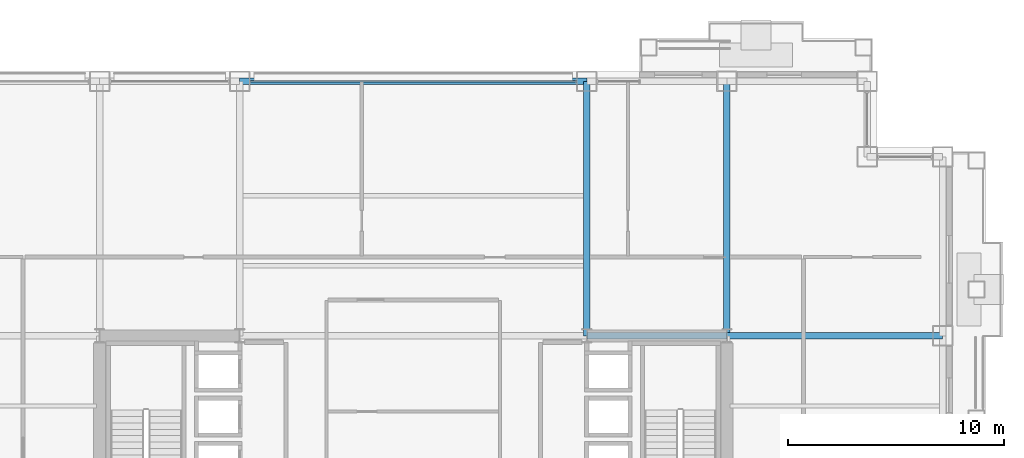
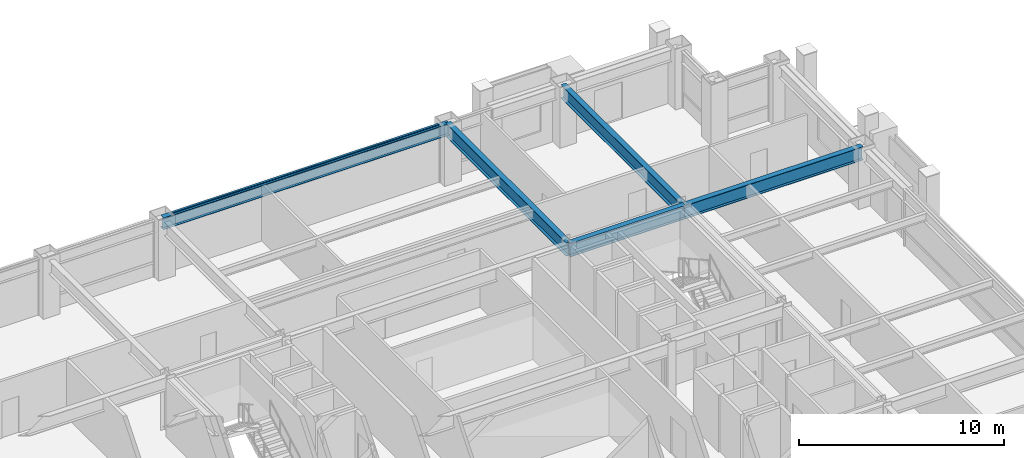
# One storey, part 19 of 31: 5 beams, 1 member, 1 element without a shape of its own.
"""IFC4 building model written with IfcOpenShell, lengths in metres."""

from ifc_helpers import new_model, si_unit, direction, frame, origin, origin_2d, place, context, subcontext, project, spatial, hollow_rectangle, i_section, extrude, material, layer, layer_set, material_profile, profile_set, type_object, element, aggregate, save


model = new_model("IFC4")

# Units and contexts
model_context = context("Model", 3, precision=1e-05, world=origin(), true_north=direction((0.0, 1.0)))
body_context = subcontext(model_context, "Body", "Model", "MODEL_VIEW")
ifc_project = project(units=[si_unit("LENGTHUNIT", "METRE"), si_unit("AREAUNIT", "SQUARE_METRE"), si_unit("VOLUMEUNIT", "CUBIC_METRE"), si_unit("PLANEANGLEUNIT", "RADIAN"), si_unit("MASSUNIT", "GRAM", prefix="KILO")], contexts=[model_context])

# Site, building, storey
site_placement = place(None, origin())
site = spatial("IfcSite", under=ifc_project, at=site_placement, CompositionType="ELEMENT")
building_placement = place(site_placement, origin())
building = spatial("IfcBuilding", under=site, at=building_placement, Name="Brelmoor Portico Tower", CompositionType="ELEMENT")
storey_placement = place(building_placement, frame((0.0, 0.0, 42.0)))
storey = spatial("IfcBuildingStorey", under=building, at=storey_placement, Name="L10", CompositionType="ELEMENT", Elevation=42.0)

# Beams
ifc_material_1 = material(Name="Steel Q355B", Category="steel")
ifc_material_profile_1 = material_profile(ifc_material_1, i_section(OverallWidth=0.300048828125, OverallDepth=0.800048828125, WebThickness=0.013916015625, FlangeThickness=0.02587890625, at=origin_2d()), Name="HN 800x300x14x26")
ifc_profile_set_1 = profile_set([ifc_material_profile_1], Name="Steel Q355B")
beam_type_1 = type_object("IfcBeamType", Name="BM-PG-800", PredefinedType="BEAM", material=ifc_profile_set_1)
for number, where, z_axis, x_axis, name in (
    (1, (8.050048828125, 9.75, 3.0), (0.0, 1.0, 0.0), (-1.0, 0.0, 0.0), "L10 Primary Floor Girder PG-10"),
    (2, (14.550048828125, 9.75, 3.0), (0.0, 1.0, 0.0), (-1.0, 0.0, 0.0), "L10 Primary Floor Girder PG-14"),
):
    element("IfcBeam", number, at=place(storey_placement, frame(where, z_axis=z_axis, x_axis=x_axis)), inside=storey, type_object=beam_type_1, Name=name, PredefinedType="BEAM", context=body_context, shape_type="SweptSolid", body=[
        extrude(i_section(OverallWidth=0.300048828125, OverallDepth=0.800048828125, WebThickness=0.013916015625, FlangeThickness=0.02587890625, at=origin_2d()), origin(), (0.0, 0.0, 1.0), 11.800048828125),
    ])
beam_1_placement = place(storey_placement, frame((8.050048828125, 9.75, 3.0), z_axis=(1.0, 0.0, 0.0), x_axis=(0.0, 1.0, 0.0)))
element("IfcBeam", 3, at=beam_1_placement, inside=storey, type_object=beam_type_1, Name="L10 Primary Floor Girder PG-30", PredefinedType="BEAM", context=body_context, shape_type="SweptSolid", body=[
    extrude(i_section(OverallWidth=0.300048828125, OverallDepth=0.800048828125, WebThickness=0.013916015625, FlangeThickness=0.02587890625, at=origin_2d()), origin(), (0.0, 0.0, 1.0), 6.5),
])
beam_2_placement = place(storey_placement, frame((14.550048828125, 9.75, 3.0), z_axis=(1.0, 0.0, 0.0), x_axis=(0.0, 1.0, 0.0)))
element("IfcBeam", 4, at=beam_2_placement, inside=storey, type_object=beam_type_1, Name="L10 Primary Floor Girder PG-31", PredefinedType="BEAM", context=body_context, shape_type="SweptSolid", body=[
    extrude(i_section(OverallWidth=0.300048828125, OverallDepth=0.800048828125, WebThickness=0.013916015625, FlangeThickness=0.02587890625, at=origin_2d()), origin(), (0.0, 0.0, 1.0), 10.0),
])
ifc_material_profile_2 = material_profile(ifc_material_1, i_section(OverallWidth=0.300048828125, OverallDepth=0.699951171875, WebThickness=0.012939453125, FlangeThickness=0.02392578125, at=origin_2d()), Name="HN 700x300x13x24")
ifc_profile_set_2 = profile_set([ifc_material_profile_2], Name="Steel Q355B")
beam_type_2 = type_object("IfcBeamType", Name="BM-SP-700", PredefinedType="SPANDREL", material=ifc_profile_set_2)
beam_3_placement = place(storey_placement, frame((-8.050048828125, 21.550048828125, 3.050048828125), z_axis=(1.0, 0.0, 0.0), x_axis=(0.0, 1.0, 0.0)))
element("IfcBeam", 5, at=beam_3_placement, inside=storey, type_object=beam_type_2, Name="L10 Perimeter Spandrel Beam SP-12", PredefinedType="SPANDREL", context=body_context, shape_type="SweptSolid", body=[
    extrude(i_section(OverallWidth=0.300048828125, OverallDepth=0.699951171875, WebThickness=0.012939453125, FlangeThickness=0.02392578125, at=origin_2d()), origin(), (0.0, 0.0, 1.0), 16.10009765625),
])

# Curtain wall, member
ifc_material_2 = material(Name="Anodised Aluminium Alloy 6063-T6", Category="aluminium")
ifc_layer = layer(ifc_material_2, 0.179931640625)
ifc_layer_set = layer_set([ifc_layer], Name="Anodised Aluminium Alloy 6063-T6")
curtain_wall_type = type_object("IfcCurtainWallType", Name="CW-TOWER-Z1-XB", PredefinedType="NOTDEFINED", material=ifc_layer_set)
curtain_wall_placement = place(storey_placement, origin())
curtain_wall = element("IfcCurtainWall", 6, at=curtain_wall_placement, inside=storey, type_object=curtain_wall_type, Name="L10 Curtain Wall CW-L10-2L-3", PredefinedType="NOTDEFINED")
ifc_material_profile_3 = material_profile(ifc_material_2, hollow_rectangle(XDim=0.06494140625, YDim=0.139892578125, WallThickness=0.00390625, at=origin_2d()), Name="ALU TRANSOM 65x140")
ifc_profile_set_3 = profile_set([ifc_material_profile_3], Name="Anodised Aluminium Alloy 6063-T6")
member_type = type_object("IfcMemberType", Name="MB-CW-TRAN-140", PredefinedType="USERDEFINED", material=ifc_profile_set_3)
member_placement = place(storey_placement, frame((-7.56494140625, 21.550048828125, 3.330078125), z_axis=(1.0, 0.0, 0.0), x_axis=(0.0, 1.0, 0.0)))
member = element("IfcMember", 7, at=member_placement, type_object=member_type, Name="CW-L10-2L-3 Transom 1-00", ObjectType="TRANSOM", PredefinedType="USERDEFINED", context=body_context, shape_type="SweptSolid", body=[
    extrude(hollow_rectangle(XDim=0.06494140625, YDim=0.139892578125, WallThickness=0.00390625, at=origin_2d()), origin(), (0.0, 0.0, 1.0), 15.1298828125),
])
aggregate(curtain_wall, [member])

save(model, "model.ifc")
